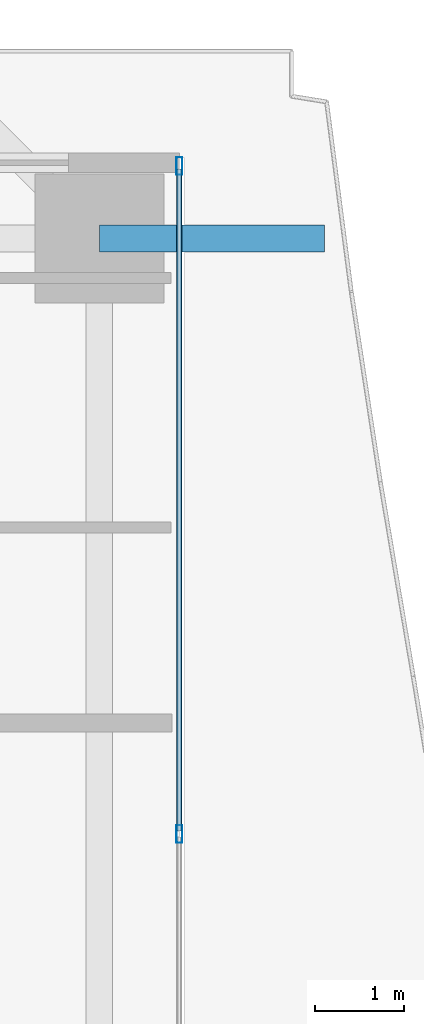
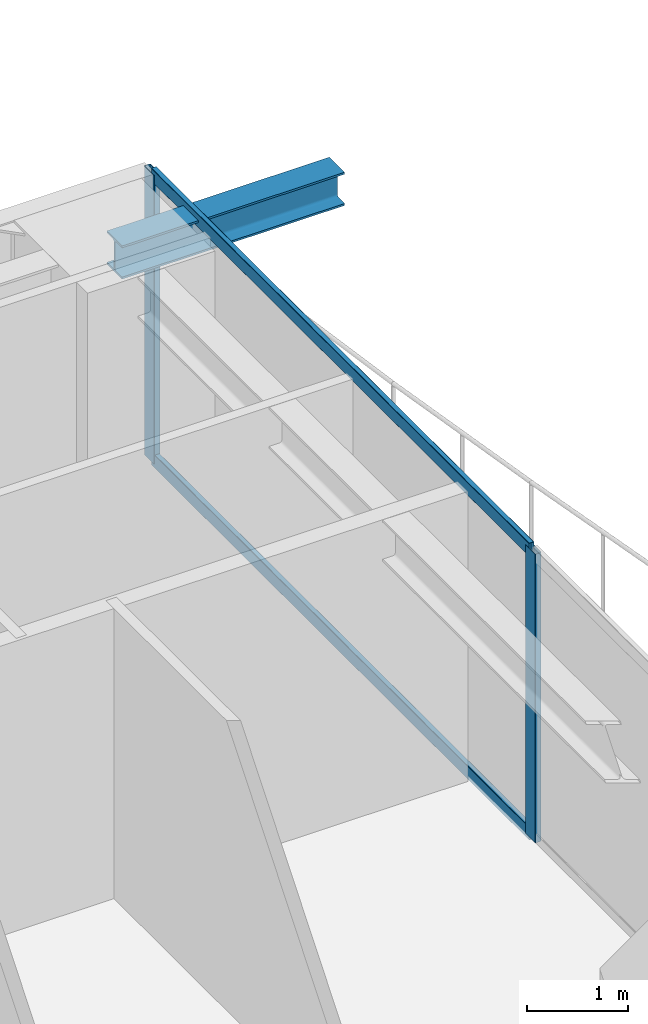
# One storey, part 23 of 37: 4 members, 1 beam, 1 element without a shape of its own.
"""IFC4 building model written with IfcOpenShell, lengths in metres."""

import ifcopenshell
import ifcopenshell.guid

model = None  # the IFC model being written
_history = None  # IfcOwnerHistory: only IFC2X3 demands one
_inside = {}  # id of a spatial element -> (the spatial element, [elements in it])
_under = {}  # id of a project, library or spatial element -> (it, [spatial elements below it])
_declared = {}  # id of a project -> (the project, [libraries it declares])
_typed = {}  # id of a type object -> (the type object, [elements of that type])
_made_of = {}  # id of a material, layer set ... -> (it, [elements and type objects made of it])


def new_model(schema):
    """Start an empty IFC model of exactly this schema.

    Asked for "IFC4X3", IfcOpenShell would pick the latest addendum, in which some entities
    have other attributes; the version numbers below select the first issue.
    IFC2X3 requires an IfcOwnerHistory on every rooted entity: one is made here for all.
    """
    global model, _history
    if schema == "IFC4X3":
        model = ifcopenshell.file(schema_version=(4, 3, 0, 0))
    else:
        model = ifcopenshell.file(schema=schema)
    _inside.clear()
    _under.clear()
    _declared.clear()
    _typed.clear()
    _made_of.clear()
    _history = None
    if model.schema == "IFC2X3":
        org = make("IfcOrganization", Name="unknown")
        user = make(
            "IfcPersonAndOrganization",
            ThePerson=make("IfcPerson", FamilyName="unknown"),
            TheOrganization=org,
        )
        app = make(
            "IfcApplication",
            ApplicationDeveloper=org,
            Version="unknown",
            ApplicationFullName="unknown",
            ApplicationIdentifier="unknown",
        )
        _history = make(
            "IfcOwnerHistory",
            OwningUser=user,
            OwningApplication=app,
            ChangeAction="ADDED",
            CreationDate=0,
        )
    return model


def make(cls, **values):
    """One entity of the class cls with the attributes given. An attribute that is None is left unset."""
    return model.create_entity(
        cls, **{name: value for name, value in values.items() if value is not None}
    )


def rooted(cls, **values):
    """An entity with a GlobalId (a new one), such as an element, a storey or a relation."""
    return make(cls, GlobalId=ifcopenshell.guid.new(), OwnerHistory=_history, **values)


def si_unit(unit_type, name, prefix=None):
    """IfcSIUnit, for example si_unit("LENGTHUNIT", "METRE", prefix="MILLI")."""
    return make("IfcSIUnit", UnitType=unit_type, Prefix=prefix, Name=name)


def assignment(units):
    """IfcUnitAssignment: the units of a project."""
    return None if units is None else make("IfcUnitAssignment", Units=units)


def point(xyz):
    """IfcCartesianPoint."""
    return None if xyz is None else make("IfcCartesianPoint", Coordinates=xyz)


def direction(xyz):
    """IfcDirection."""
    return None if xyz is None else make("IfcDirection", DirectionRatios=xyz)


def frame(location, z_axis=None, x_axis=None):
    """IfcAxis2Placement3D, a coordinate frame: its origin and axes. An axis left out is left unset."""
    return make(
        "IfcAxis2Placement3D",
        Location=point(location),
        Axis=direction(z_axis),
        RefDirection=direction(x_axis),
    )


def frame_2d(location, x_axis=None):
    """IfcAxis2Placement2D, a coordinate frame in the plane: its origin and x axis."""
    return make(
        "IfcAxis2Placement2D", Location=point(location), RefDirection=direction(x_axis)
    )


def origin():
    """The frame at (0, 0, 0) with its axes left unset."""
    return frame((0.0, 0.0, 0.0))


def origin_2d():
    """The frame at (0, 0) in the plane with its x axis left unset."""
    return frame_2d((0.0, 0.0))


def place(relative_to, where):
    """IfcLocalPlacement: puts the frame where relative to a parent placement (None: the world)."""
    return make(
        "IfcLocalPlacement", PlacementRelTo=relative_to, RelativePlacement=where
    )


def context(
    kind, dimensions, precision=None, world=None, true_north=None, identifier=None
):
    """IfcGeometricRepresentationContext, for example the 3D "Model" context."""
    return make(
        "IfcGeometricRepresentationContext",
        ContextIdentifier=identifier,
        ContextType=kind,
        CoordinateSpaceDimension=dimensions,
        Precision=precision,
        WorldCoordinateSystem=world,
        TrueNorth=true_north,
    )


def subcontext(parent, identifier, kind, view, scale=None):
    """IfcGeometricRepresentationSubContext, for example "Body" below "Model"."""
    return make(
        "IfcGeometricRepresentationSubContext",
        ContextIdentifier=identifier,
        ContextType=kind,
        ParentContext=parent,
        TargetScale=scale,
        TargetView=view,
    )


def project(units=None, contexts=None):
    """IfcProject with its units and contexts."""
    return rooted(
        "IfcProject",
        Name="project",
        RepresentationContexts=contexts,
        UnitsInContext=assignment(units),
    )


def spatial(cls, under=None, at=None, **own):
    """A site, building, storey or space (cls), placed at a placement, below another one or the project."""
    s = rooted(cls, ObjectPlacement=at, **own)
    if under is not None:
        _under.setdefault(under.id(), (under, []))[1].append(s)
    return s


def profile(cls, at=None, kind="AREA", **sizes):
    """A parametric profile (cls). Its sizes go by their IFC names, for example OverallWidth=200.0."""
    return make(cls, ProfileType=kind, Position=at, **sizes)


def hollow_rectangle(**sizes):
    """IfcRectangleHollowProfileDef."""
    return profile("IfcRectangleHollowProfileDef", **sizes)


def i_section(**sizes):
    """IfcIShapeProfileDef."""
    return profile("IfcIShapeProfileDef", **sizes)


def extrude(swept, where, along, depth):
    """IfcExtrudedAreaSolid: the profile swept, set in the frame where, extruded along a direction by depth."""
    return make(
        "IfcExtrudedAreaSolid",
        SweptArea=swept,
        Position=where,
        ExtrudedDirection=direction(along),
        Depth=depth,
    )


def shape(context_of_items, identifier, shape_type, items):
    """IfcShapeRepresentation: the items that make up one representation, for example the "Body"."""
    return make(
        "IfcShapeRepresentation",
        ContextOfItems=context_of_items,
        RepresentationIdentifier=identifier,
        RepresentationType=shape_type,
        Items=items,
    )


def source(mapping_origin, context_of_items, identifier, shape_type, items):
    """IfcRepresentationMap: a shape defined once, which mapped items show again and again."""
    return make(
        "IfcRepresentationMap",
        MappingOrigin=mapping_origin,
        MappedRepresentation=shape(context_of_items, identifier, shape_type, items),
    )


def transform(
    local_origin,
    x_axis=None,
    y_axis=None,
    z_axis=None,
    scale=None,
    scale2=None,
    scale3=None,
    uniform=True,
):
    """IfcCartesianTransformationOperator3D, or its non-uniform kind. x_axis, y_axis, z_axis: its Axis1, 2, 3."""
    if uniform:
        return make(
            "IfcCartesianTransformationOperator3D",
            Axis1=direction(x_axis),
            Axis2=direction(y_axis),
            LocalOrigin=point(local_origin),
            Scale=scale,
            Axis3=direction(z_axis),
        )
    return make(
        "IfcCartesianTransformationOperator3DnonUniform",
        Axis1=direction(x_axis),
        Axis2=direction(y_axis),
        LocalOrigin=point(local_origin),
        Scale=scale,
        Axis3=direction(z_axis),
        Scale2=scale2,
        Scale3=scale3,
    )


def mapped(mapping_source, mapping_target):
    """IfcMappedItem: shows the shape of a source again, moved by a transform."""
    return make(
        "IfcMappedItem", MappingSource=mapping_source, MappingTarget=mapping_target
    )


def material(Name=None, Category=None):
    """IfcMaterial."""
    return make("IfcMaterial", Name=Name, Category=Category)


def layer(
    of_material, thickness, ventilated=None, Name=None, Category=None, Priority=None
):
    """IfcMaterialLayer: one layer of a wall or slab, of a material (None: an air gap)."""
    return make(
        "IfcMaterialLayer",
        Material=of_material,
        LayerThickness=thickness,
        IsVentilated=ventilated,
        Name=Name,
        Category=Category,
        Priority=Priority,
    )


def layer_set(layers, Name=None):
    """IfcMaterialLayerSet."""
    return make("IfcMaterialLayerSet", MaterialLayers=layers, LayerSetName=Name)


def material_profile(
    of_material, cross_section, Name=None, Category=None, Priority=None
):
    """IfcMaterialProfile: a cross section and its material."""
    return make(
        "IfcMaterialProfile",
        Name=Name,
        Material=of_material,
        Profile=cross_section,
        Priority=Priority,
        Category=Category,
    )


def profile_set(profiles, Name=None, composite=None):
    """IfcMaterialProfileSet."""
    return make(
        "IfcMaterialProfileSet",
        Name=Name,
        MaterialProfiles=profiles,
        CompositeProfile=composite,
    )


def made_of(thing, what):
    """Note that an element or type object is made of a material, layer set ...; save() writes the relation."""
    if what is not None:
        _made_of.setdefault(what.id(), (what, []))[1].append(thing)
    return thing


def type_object(cls, material=None, **own):
    """A type object (cls), such as IfcWallType, which elements share."""
    return made_of(rooted(cls, **own), material)


def element(
    cls,
    number,
    at=None,
    inside=None,
    cuts=None,
    type_object=None,
    material=None,
    context=None,
    identifier="Body",
    shape_type=None,
    held_by="IfcProductDefinitionShape",
    body=None,
    shapes=None,
    **own,
):
    """One element of the class cls, such as IfcWall. Its Tag is "e" and its number.

    at: its placement. inside: the storey or other place that contains it. cuts: it is an
    opening in that element (IfcRelVoidsElement). A single representation is given by context,
    identifier, shape_type and body (its items); several are given by shapes. held_by: the class
    of the entity that holds the representations. save() writes the other relations.
    """
    e = rooted(cls, Tag="e%d" % number, ObjectPlacement=at, **own)
    if body is not None:
        shapes = [shape(context, identifier, shape_type, body)]
    if shapes is not None:
        e.Representation = make(held_by, Representations=shapes)
    if inside is not None:
        _inside.setdefault(inside.id(), (inside, []))[1].append(e)
    if cuts is not None:
        rooted(
            "IfcRelVoidsElement", RelatingBuildingElement=cuts, RelatedOpeningElement=e
        )
    if type_object is not None:
        _typed.setdefault(type_object.id(), (type_object, []))[1].append(e)
    return made_of(e, material)


def aggregate(whole, parts):
    """IfcRelAggregates: a whole, such as a stair, and the parts it consists of."""
    return rooted("IfcRelAggregates", RelatingObject=whole, RelatedObjects=parts)


def save(model, path):
    """Write the relations noted so far, then the file.

    IfcRelAggregates (storeys below a building ...), IfcRelContainedInSpatialStructure (elements
    in a storey), IfcRelDefinesByType, IfcRelAssociatesMaterial and IfcRelDeclares: one each for
    every whole, place, type object, material and project.
    """
    for whole, parts in _under.values():
        aggregate(whole, parts)
    for where, things in _inside.values():
        rooted(
            "IfcRelContainedInSpatialStructure",
            RelatedElements=things,
            RelatingStructure=where,
        )
    for kind, things in _typed.values():
        rooted("IfcRelDefinesByType", RelatedObjects=things, RelatingType=kind)
    for what, things in _made_of.values():
        rooted("IfcRelAssociatesMaterial", RelatedObjects=things, RelatingMaterial=what)
    for by, libraries in _declared.values():
        rooted("IfcRelDeclares", RelatingContext=by, RelatedDefinitions=libraries)
    model.write(path)


model = new_model("IFC4")

# Units and contexts
model_context = context("Model", 3, precision=1e-05, world=origin(), true_north=direction((0.0, 1.0)))
body_context = subcontext(model_context, "Body", "Model", "MODEL_VIEW")
ifc_project = project(units=[si_unit("LENGTHUNIT", "METRE"), si_unit("AREAUNIT", "SQUARE_METRE"), si_unit("VOLUMEUNIT", "CUBIC_METRE"), si_unit("PLANEANGLEUNIT", "RADIAN"), si_unit("MASSUNIT", "GRAM", prefix="KILO")], contexts=[model_context])

# Site, building, storey
site_placement = place(None, origin())
site = spatial("IfcSite", under=ifc_project, at=site_placement, CompositionType="ELEMENT")
building_placement = place(site_placement, origin())
building = spatial("IfcBuilding", under=site, at=building_placement, Name="Serunith Strait Residences", CompositionType="ELEMENT")
storey_placement = place(building_placement, frame((0.0, 0.0, 34.199951171875)))
storey = spatial("IfcBuildingStorey", under=building, at=storey_placement, Name="L07", CompositionType="ELEMENT", Elevation=34.199951171875)

# Beam
ifc_material_1 = material(Name="Steel S355J2", Category="steel")
ifc_material_profile_1 = material_profile(ifc_material_1, i_section(OverallWidth=0.300048828125, OverallDepth=0.39990234375, WebThickness=0.013427734375, FlangeThickness=0.02392578125, FilletRadius=0.027099609375, at=origin_2d()), Name="HEB 400")
ifc_profile_set_1 = profile_set([ifc_material_profile_1], Name="Steel S355J2")
beam_type = type_object("IfcBeamType", Name="BM-HEB400", PredefinedType="BEAM", material=ifc_profile_set_1)
shared_shape_1 = source(origin(), body_context, "Body", "SweptSolid", [
    extrude(i_section(OverallWidth=0.300048828125, OverallDepth=0.39990234375, WebThickness=0.013427734375, FlangeThickness=0.02392578125, FilletRadius=0.027099609375, at=origin_2d()), origin(), (0.0, 0.0, 1.0), 2.5341796875),
])
beam_placement = place(storey_placement, frame((57.89990234375, 40.949951171875, 3.257080078125), z_axis=(1.0, 0.0, 0.0), x_axis=(0.0, 1.0, 0.0)))
element("IfcBeam", 1, at=beam_placement, inside=storey, type_object=beam_type, Name="L08 Cantilevered Balcony Rib TC-E4", PredefinedType="BEAM", context=body_context, shape_type="MappedRepresentation", body=[
    mapped(shared_shape_1, transform((0.0, 0.0, 0.0), scale=1.0)),
])

# Curtain wall, members
ifc_material_2 = material(Name="Pale-Champagne Anodised Aluminium", Category="aluminium")
ifc_layer = layer(ifc_material_2, 0.199951171875, Name="Pale-Champagne Anodised Aluminium")
ifc_layer_set = layer_set([ifc_layer], Name="Pale-Champagne Anodised Aluminium")
curtain_wall_type = type_object("IfcCurtainWallType", Name="CW-SYS1", PredefinedType="NOTDEFINED", material=ifc_layer_set)
curtain_wall_placement = place(storey_placement, origin())
curtain_wall = element("IfcCurtainWall", 2, at=curtain_wall_placement, inside=storey, type_object=curtain_wall_type, Name="L07 E Unitised Fritted Curtain Wall", PredefinedType="NOTDEFINED")
ifc_material_profile_2 = material_profile(ifc_material_2, hollow_rectangle(XDim=0.070068359375, YDim=0.199951171875, WallThickness=0.00390625, InnerFilletRadius=0.006103515625, OuterFilletRadius=0.010009765625, at=origin_2d()), Name="ALU 200x70x4")
ifc_profile_set_2 = profile_set([ifc_material_profile_2], Name="Pale-Champagne Anodised Aluminium")
member_type_1 = type_object("IfcMemberType", Name="CW-SYS1-MULL", PredefinedType="MULLION", material=ifc_profile_set_2)
shared_shape_2 = source(origin(), body_context, "Body", "SweptSolid", [
    extrude(hollow_rectangle(XDim=0.070068359375, YDim=0.199951171875, WallThickness=0.00390625, InnerFilletRadius=0.006103515625, OuterFilletRadius=0.010009765625, at=origin_2d()), origin(), (0.0, 0.0, 1.0), 3.47509765625),
])
member_1_placement = place(storey_placement, frame((58.800048828125, 34.25, 0.0), z_axis=(0.0, 0.0, 1.0), x_axis=(-1.0, 0.0, 0.0)))
member_1 = element("IfcMember", 3, at=member_1_placement, type_object=member_type_1, Name="CW-1 mullion 2", PredefinedType="MULLION", context=body_context, shape_type="MappedRepresentation", body=[
    mapped(shared_shape_2, transform((0.0, 0.0, 0.0), scale=1.0)),
])
member_2_placement = place(storey_placement, frame((58.800048828125, 41.764892578125, 0.0), z_axis=(0.0, 0.0, 1.0), x_axis=(-1.0, 0.0, 0.0)))
member_2 = element("IfcMember", 4, at=member_2_placement, type_object=member_type_1, Name="CW-1 mullion 3", PredefinedType="MULLION", context=body_context, shape_type="MappedRepresentation", body=[
    mapped(shared_shape_2, transform((0.0, 0.0, 0.0), scale=1.0)),
])
ifc_material_profile_3 = material_profile(ifc_material_2, hollow_rectangle(XDim=0.06005859375, YDim=0.159912109375, WallThickness=0.00341796875, InnerFilletRadius=0.00537109375, OuterFilletRadius=0.0087890625, at=origin_2d()), Name="ALU 160x60x3.5")
ifc_profile_set_3 = profile_set([ifc_material_profile_3], Name="Pale-Champagne Anodised Aluminium")
member_type_2 = type_object("IfcMemberType", Name="CW-SYS1-TRAN", PredefinedType="USERDEFINED", material=ifc_profile_set_3)
shared_shape_3 = source(origin(), body_context, "Body", "SweptSolid", [
    extrude(hollow_rectangle(XDim=0.06005859375, YDim=0.159912109375, WallThickness=0.00341796875, InnerFilletRadius=0.00537109375, OuterFilletRadius=0.0087890625, at=origin_2d()), origin(), (0.0, 0.0, 1.0), 7.445068359375),
])
member_3_placement = place(storey_placement, frame((58.800048828125, 34.284912109375, 0.030029296875), z_axis=(0.0, 1.0, 0.0), x_axis=(-1.0, 0.0, 0.0)))
member_3 = element("IfcMember", 5, at=member_3_placement, type_object=member_type_2, Name="CW-1 transom 2.1", ObjectType="TRANSOM", PredefinedType="USERDEFINED", context=body_context, shape_type="MappedRepresentation", body=[
    mapped(shared_shape_3, transform((0.0, 0.0, 0.0), scale=1.0)),
])
member_4_placement = place(storey_placement, frame((58.800048828125, 34.284912109375, 3.445068359375), z_axis=(0.0, 1.0, 0.0), x_axis=(-1.0, 0.0, 0.0)))
member_4 = element("IfcMember", 6, at=member_4_placement, type_object=member_type_2, Name="CW-1 transom 2.2", ObjectType="TRANSOM", PredefinedType="USERDEFINED", context=body_context, shape_type="MappedRepresentation", body=[
    mapped(shared_shape_3, transform((0.0, 0.0, 0.0), scale=1.0)),
])
aggregate(curtain_wall, [member_1, member_2, member_3, member_4])

save(model, "model.ifc")
